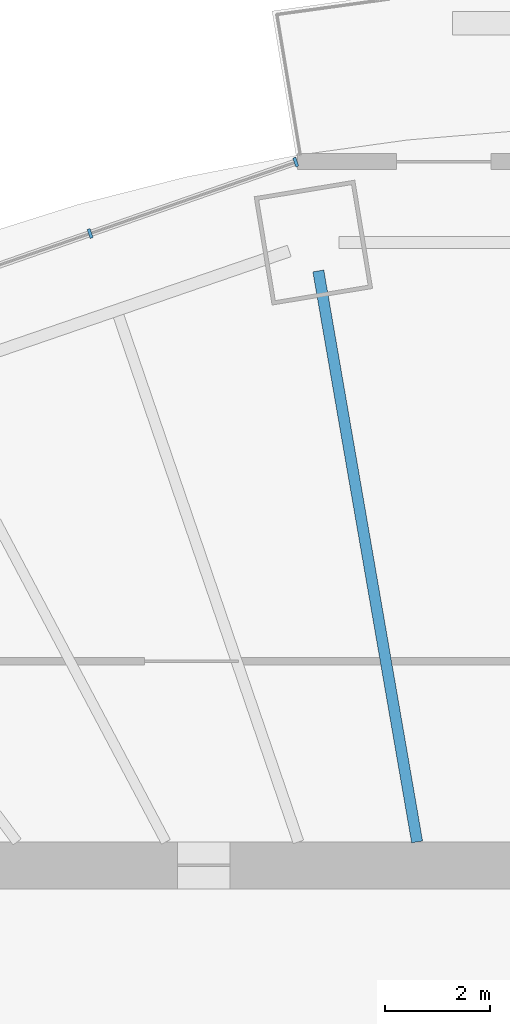
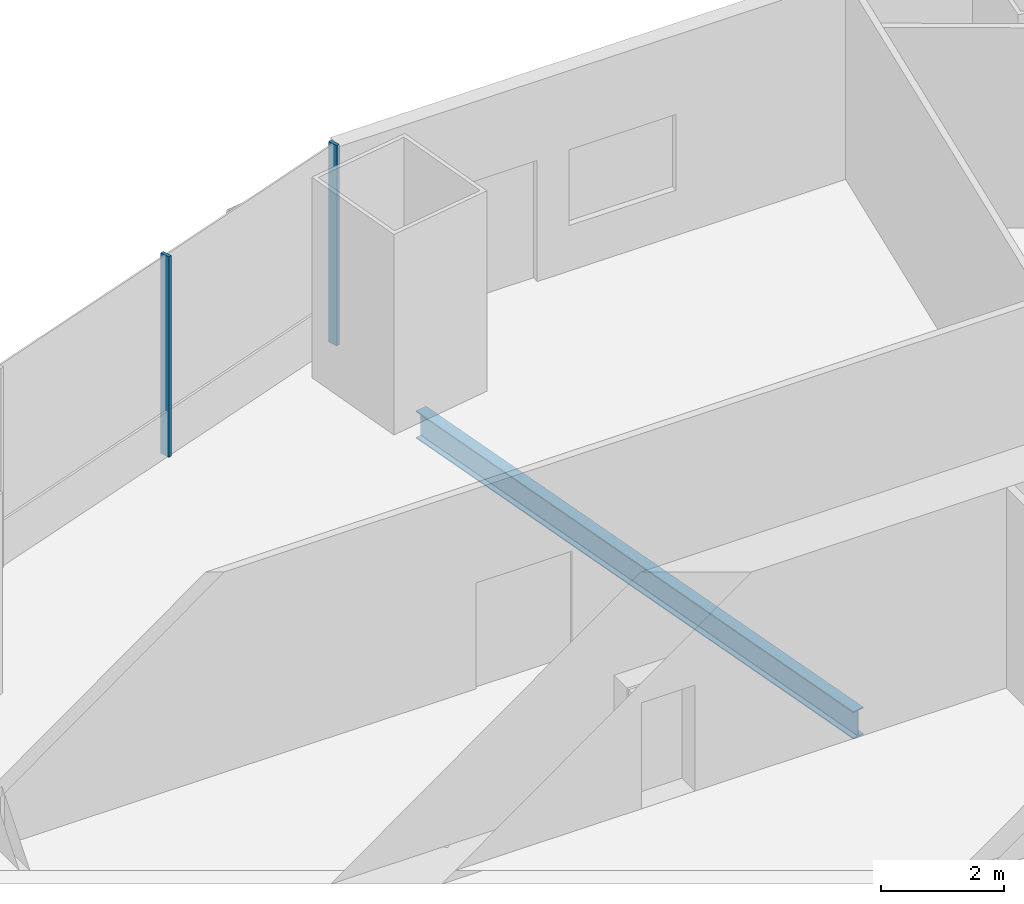
# One storey, part 7 of 21: 2 members, 1 beam, 1 element without a shape of its own.
"""IFC4 building model written with IfcOpenShell, lengths in metres."""

from ifc_helpers import new_model, si_unit, direction, frame, origin, origin_2d, place, context, subcontext, project, spatial, rectangle, i_section, extrude, material, material_profile, profile_set, type_object, element, aggregate, save


model = new_model("IFC4")

# Units and contexts
model_context = context("Model", 3, precision=1e-05, world=origin(), true_north=direction((0.0, 1.0)))
body_context = subcontext(model_context, "Body", "Model", "MODEL_VIEW")
ifc_project = project(units=[si_unit("LENGTHUNIT", "METRE"), si_unit("AREAUNIT", "SQUARE_METRE"), si_unit("VOLUMEUNIT", "CUBIC_METRE"), si_unit("PLANEANGLEUNIT", "RADIAN"), si_unit("MASSUNIT", "GRAM", prefix="KILO")], contexts=[model_context])

# Site, building, storey
site_placement = place(None, origin())
site = spatial("IfcSite", under=ifc_project, at=site_placement, CompositionType="ELEMENT")
building_placement = place(site_placement, origin())
building = spatial("IfcBuilding", under=site, at=building_placement, Name="Marenthal Gate Tower", CompositionType="ELEMENT")
storey_placement = place(building_placement, frame((0.0, 0.0, 165.199951171875)))
storey = spatial("IfcBuildingStorey", under=building, at=storey_placement, Name="L35", CompositionType="ELEMENT", Elevation=165.199951171875)

# Curtain wall, members
ifc_material_1 = material(Name="Aluminium and glass", Category="aluminium")
curtain_wall_type = type_object("IfcCurtainWallType", Name="Curtain wall typical mid", PredefinedType="NOTDEFINED", material=ifc_material_1)
curtain_wall_placement = place(storey_placement, origin())
curtain_wall = element("IfcCurtainWall", 1, at=curtain_wall_placement, inside=storey, type_object=curtain_wall_type, Name="Curtain wall L35 bay 5", PredefinedType="NOTDEFINED")
ifc_material_2 = material(Name="Aluminium", Category="aluminium")
ifc_material_profile_1 = material_profile(ifc_material_2, rectangle(XDim=0.179931640625, YDim=0.06005859375, at=origin_2d()), Name="60x180 aluminium mullion")
ifc_profile_set_1 = profile_set([ifc_material_profile_1], Name="Aluminium")
member_type = type_object("IfcMemberType", Name="Mullion 60x180 typical mid", PredefinedType="MULLION", material=ifc_profile_set_1)
member_1_placement = place(storey_placement, frame((-4.646728515625, 26.451904296875, 0.0), z_axis=(0.0, 0.0, 1.0), x_axis=(0.328157600538, -0.944622987868, 0.0)))
member_1 = element("IfcMember", 2, at=member_1_placement, type_object=member_type, Name="Mullion L35 bay 5.1", PredefinedType="MULLION", context=body_context, shape_type="SweptSolid", body=[
    extrude(rectangle(XDim=0.179931640625, YDim=0.06005859375, at=origin_2d()), origin(), (0.0, 0.0, 1.0), 3.969970703125),
])
member_2_placement = place(storey_placement, frame((-8.580810546875, 25.085205078125, 0.0), z_axis=(0.0, 0.0, 1.0), x_axis=(0.328157600538, -0.944622987868, 0.0)))
member_2 = element("IfcMember", 3, at=member_2_placement, type_object=member_type, Name="Mullion L35 bay 5.2", PredefinedType="MULLION", context=body_context, shape_type="SweptSolid", body=[
    extrude(rectangle(XDim=0.179931640625, YDim=0.06005859375, at=origin_2d()), origin(), (0.0, 0.0, 1.0), 3.969970703125),
])
aggregate(curtain_wall, [member_1, member_2])

# Beam
ifc_material_3 = material(Name="Steel S355", Category="steel")
ifc_material_profile_2 = material_profile(ifc_material_3, i_section(OverallWidth=0.2119140625, OverallDepth=0.5439453125, WebThickness=0.01318359375, FlangeThickness=0.021240234375, FilletRadius=0.0126953125, at=origin_2d()), Name="W530X123")
ifc_profile_set_2 = profile_set([ifc_material_profile_2], Name="Steel S355")
beam_type = type_object("IfcBeamType", Name="W530X123 beam", PredefinedType="BEAM", material=ifc_profile_set_2)
beam_placement = place(storey_placement, frame((-4.21630859375, 24.3701171875, -0.451904296875), z_axis=(0.170486727373, -0.985359972695, 0.0), x_axis=(0.985359972695, 0.170486727373, 0.0)))
element("IfcBeam", 4, at=beam_placement, inside=storey, type_object=beam_type, Name="BM-L35-05", PredefinedType="BEAM", context=body_context, shape_type="SweptSolid", body=[
    extrude(i_section(OverallWidth=0.2119140625, OverallDepth=0.5439453125, WebThickness=0.01318359375, FlangeThickness=0.021240234375, FilletRadius=0.0126953125, at=origin_2d()), origin(), (0.0, 0.0, 1.0), 11.08251953125),
])

save(model, "model.ifc")
